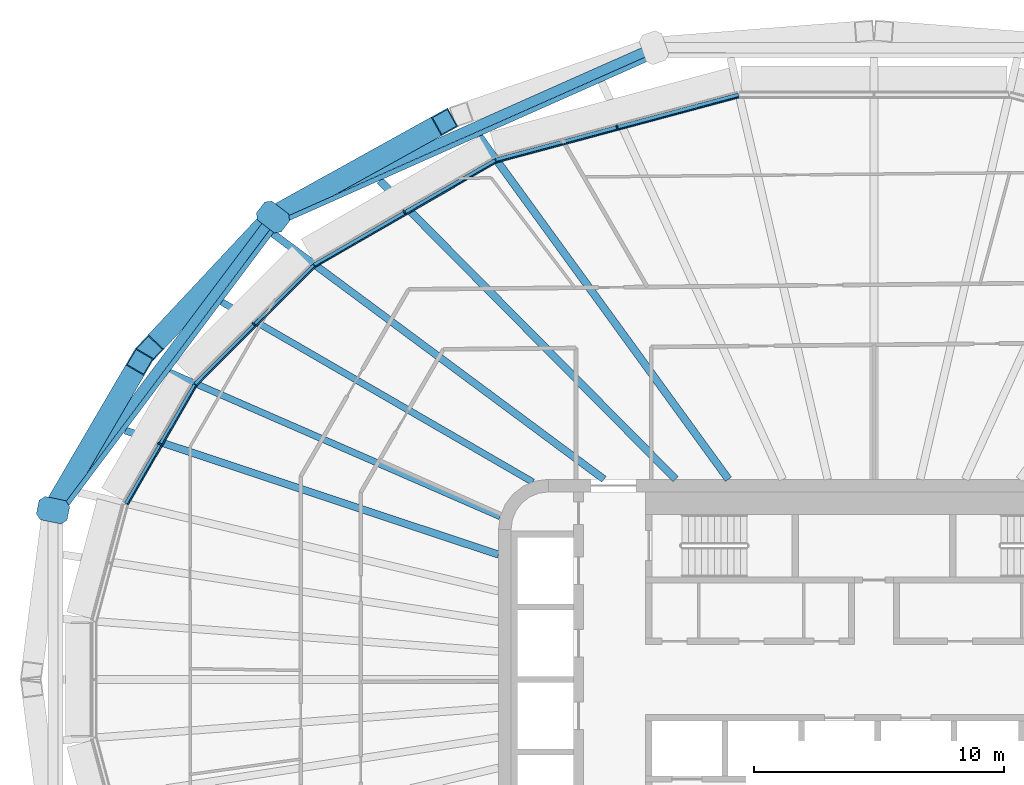
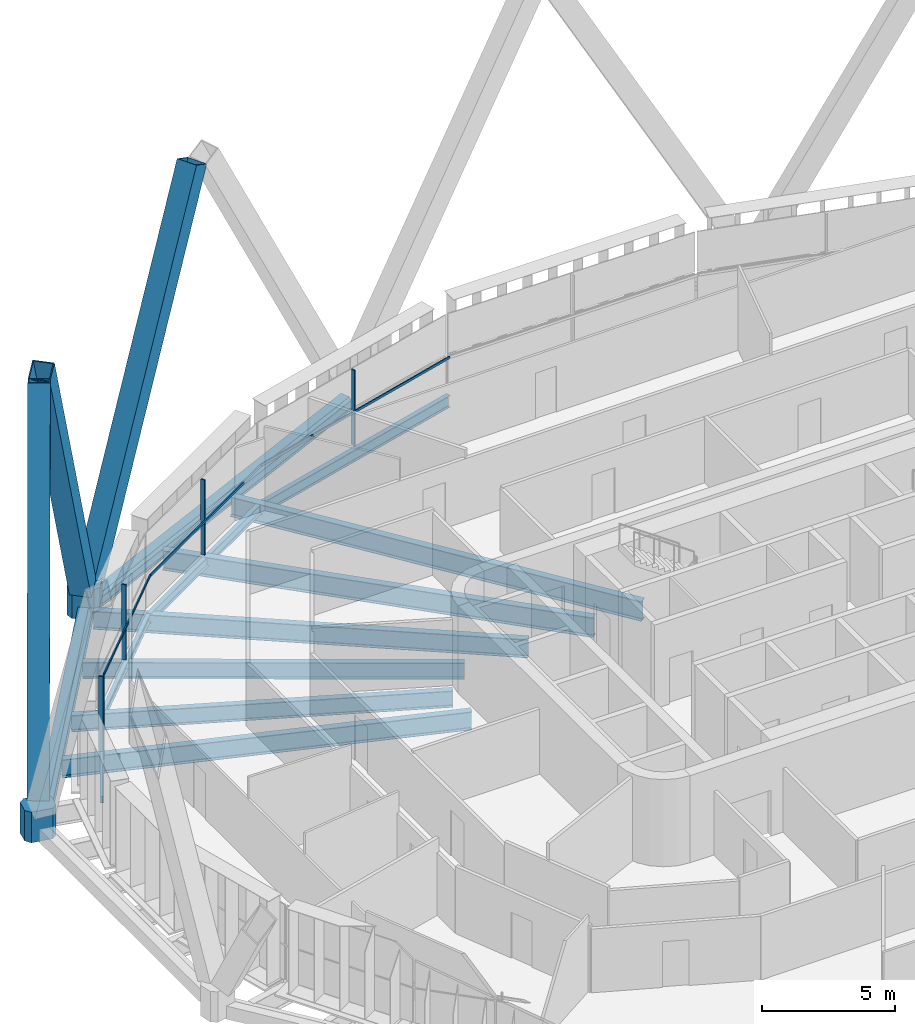
# One storey, part 7 of 25: 14 beams, 13 members, 4 elements without a shape of their own.
"""IFC4 building model written with IfcOpenShell, lengths in metres."""

from ifc_helpers import new_model, si_unit, direction, frame, origin, origin_2d, place, context, subcontext, project, spatial, polyline, rectangle, hollow_rectangle, i_section, outline, extrude, material, layer, layer_set, material_profile, profile_set, type_object, element, aggregate, save


model = new_model("IFC4")

# Units and contexts
model_context = context("Model", 3, precision=1e-05, world=origin(), true_north=direction((0.0, 1.0)))
body_context = subcontext(model_context, "Body", "Model", "MODEL_VIEW")
ifc_project = project(units=[si_unit("LENGTHUNIT", "METRE"), si_unit("AREAUNIT", "SQUARE_METRE"), si_unit("VOLUMEUNIT", "CUBIC_METRE"), si_unit("PLANEANGLEUNIT", "RADIAN"), si_unit("MASSUNIT", "GRAM", prefix="KILO")], contexts=[model_context])

# Site, building, storey
site_placement = place(None, origin())
site = spatial("IfcSite", under=ifc_project, at=site_placement, CompositionType="ELEMENT")
building_placement = place(site_placement, origin())
building = spatial("IfcBuilding", under=site, at=building_placement, Name="Sahrelin Media Tower", CompositionType="ELEMENT")
storey_placement = place(building_placement, frame((0.0, 0.0, 165.60009765625)))
storey = spatial("IfcBuildingStorey", under=building, at=storey_placement, Name="L34", CompositionType="ELEMENT", Elevation=165.60009765625)

# Members
ifc_material_1 = material(Name="Steel S460", Category="steel")
ifc_material_profile_1 = material_profile(ifc_material_1, hollow_rectangle(XDim=0.85009765625, YDim=0.85009765625, WallThickness=0.044921875, at=origin_2d()), Name="Diagrid diagonal DG4")
ifc_profile_set_1 = profile_set([ifc_material_profile_1], Name="Steel S460")
member_type_1 = type_object("IfcMemberType", Name="Diagrid diagonal DG4", PredefinedType="BRACE", material=ifc_profile_set_1)
member_1_placement = place(storey_placement, frame((-23.69384765625, 18.652099609375, 0.699951171875), z_axis=(0.398674830387, 0.221022968388, 0.890060237883), x_axis=(-0.484866509738, 0.87458817036, 0.0)))
element("IfcMember", 1, at=member_1_placement, inside=storey, type_object=member_type_1, Name="Diagrid diagonal D07-08", PredefinedType="BRACE", context=body_context, shape_type="SweptSolid", body=[
    extrude(hollow_rectangle(XDim=0.85009765625, YDim=0.85009765625, WallThickness=0.044921875, at=origin_2d()), origin(), (0.0, 0.0, 1.0), 16.4033203125),
])
member_2_placement = place(storey_placement, frame((-24.233154296875, 18.237060546875, 0.699951171875), z_axis=(-0.291734755252, -0.311755323124, 0.904267355975), x_axis=(0.730163113627, -0.683272879236, 0.0)))
element("IfcMember", 2, at=member_2_placement, inside=storey, type_object=member_type_1, Name="Diagrid diagonal D07-09", PredefinedType="BRACE", context=body_context, shape_type="SweptSolid", body=[
    extrude(hollow_rectangle(XDim=0.85009765625, YDim=0.85009765625, WallThickness=0.044921875, at=origin_2d()), origin(), (0.0, 0.0, 1.0), 16.1455078125),
])
member_3_placement = place(storey_placement, frame((-32.635986328125, 7.034912109375, 0.699951171875), z_axis=(0.206719269203, 0.353451810251, 0.912326126761), x_axis=(-0.863205372042, 0.504852934702, 0.0)))
element("IfcMember", 3, at=member_3_placement, inside=storey, type_object=member_type_1, Name="Diagrid diagonal D07-10", PredefinedType="BRACE", context=body_context, shape_type="SweptSolid", body=[
    extrude(hollow_rectangle(XDim=0.85009765625, YDim=0.85009765625, WallThickness=0.044921875, at=origin_2d()), origin(), (0.0, 0.0, 1.0), 16.0029296875),
])
ifc_material_profile_2 = material_profile(ifc_material_1, outline(polyline([(0.425048828125, -0.47509765625), (0.625, -0.27490234375), (0.625, 0.27490234375), (0.425048828125, 0.47509765625), (-0.425048828125, 0.47509765625), (-0.625, 0.27490234375), (-0.625, -0.27490234375), (-0.425048828125, -0.47509765625), (0.425048828125, -0.47509765625)])), Name="Diagrid node block 1250")
ifc_profile_set_2 = profile_set([ifc_material_profile_2], Name="Steel S460")
member_type_2 = type_object("IfcMemberType", Name="Diagrid node block 1250", PredefinedType="USERDEFINED", material=ifc_profile_set_2)
for number, where, z_axis, x_axis, name in (
    (4, (-24.00732421875, 18.478515625, -0.7001953125), (0.0, 0.0, 1.0), (-0.792446158195, 0.609941871297, 0.0), "Diagrid node N07-04"),
    (5, (-32.794677734375, 6.763671875, -0.7001953125), (0.0, 0.0, 1.0), (-0.979387770926, 0.201989094163, 0.0), "Diagrid node N07-05"),
):
    element("IfcMember", number, at=place(storey_placement, frame(where, z_axis=z_axis, x_axis=x_axis)), inside=storey, type_object=member_type_2, Name=name, ObjectType="NODE", PredefinedType="USERDEFINED", context=body_context, shape_type="SweptSolid", body=[
        extrude(outline(polyline([(0.425048828125, -0.47509765625), (0.625, -0.27490234375), (0.625, 0.27490234375), (0.425048828125, 0.47509765625), (-0.425048828125, 0.47509765625), (-0.625, 0.27490234375), (-0.625, -0.27490234375), (-0.425048828125, -0.47509765625), (0.425048828125, -0.47509765625)])), origin(), (0.0, 0.0, 1.0), 1.400146484375),
    ])

# Beams
ifc_material_profile_3 = material_profile(ifc_material_1, hollow_rectangle(XDim=0.39990234375, YDim=0.60009765625, WallThickness=0.030029296875, at=origin_2d()), Name="Diagrid ring beam RB1")
ifc_profile_set_3 = profile_set([ifc_material_profile_3], Name="Steel S460")
beam_type_1 = type_object("IfcBeamType", Name="Diagrid ring beam RB1", PredefinedType="BEAM", material=ifc_profile_set_3)
beam_1_placement = place(storey_placement, frame((-8.787353515625, 25.241943359375, -0.4501953125), z_axis=(-0.913833912986, -0.406088142498, 0.0), x_axis=(0.406088142498, -0.913833912986, 0.0)))
element("IfcBeam", 6, at=beam_1_placement, inside=storey, type_object=beam_type_1, Name="Diagrid ring beam RB07-03", PredefinedType="BEAM", context=body_context, shape_type="SweptSolid", body=[
    extrude(hollow_rectangle(XDim=0.39990234375, YDim=0.60009765625, WallThickness=0.030029296875, at=origin_2d()), origin(), (0.0, 0.0, 1.0), 16.655029296875),
])
beam_2_placement = place(storey_placement, frame((-24.00732421875, 18.478515625, -0.4501953125), z_axis=(-0.600053347115, -0.799959986885, 0.0), x_axis=(0.799959986885, -0.600053347115, 0.0)))
element("IfcBeam", 7, at=beam_2_placement, inside=storey, type_object=beam_type_1, Name="Diagrid ring beam RB07-04", PredefinedType="BEAM", context=body_context, shape_type="SweptSolid", body=[
    extrude(hollow_rectangle(XDim=0.39990234375, YDim=0.60009765625, WallThickness=0.030029296875, at=origin_2d()), origin(), (0.0, 0.0, 1.0), 14.644287109375),
])
ifc_material_2 = material(Name="Steel S355", Category="steel")
ifc_material_profile_4 = material_profile(ifc_material_2, i_section(OverallWidth=0.1650390625, OverallDepth=0.303466796875, WebThickness=0.006103515625, FlangeThickness=0.01025390625, FilletRadius=0.0087890625, at=origin_2d()), Name="UB 305x165x40")
ifc_profile_set_4 = profile_set([ifc_material_profile_4], Name="Steel S355")
beam_type_2 = type_object("IfcBeamType", Name="Edge beam EB2", PredefinedType="BEAM", material=ifc_profile_set_4)
beam_3_placement = place(storey_placement, frame((-29.87158203125, 7.015380859375, -0.3017578125), z_axis=(0.499995531332, 0.866027983755, 0.0), x_axis=(-0.866027983755, 0.499995531332, 0.0)))
element("IfcBeam", 8, at=beam_3_placement, inside=storey, type_object=beam_type_2, Name="Edge beam L34-15", PredefinedType="BEAM", context=body_context, shape_type="SweptSolid", body=[
    extrude(i_section(OverallWidth=0.1650390625, OverallDepth=0.303466796875, WebThickness=0.006103515625, FlangeThickness=0.01025390625, FilletRadius=0.0087890625, at=origin_2d()), origin(), (0.0, 0.0, 1.0), 5.49462890625),
])
ifc_material_profile_5 = material_profile(ifc_material_2, i_section(OverallWidth=0.17138671875, OverallDepth=0.35498046875, WebThickness=0.00732421875, FlangeThickness=0.011474609375, FilletRadius=0.01025390625, at=origin_2d()), Name="UB 356x171x51")
ifc_profile_set_5 = profile_set([ifc_material_profile_5], Name="Steel S355")
beam_type_3 = type_object("IfcBeamType", Name="Edge beam EB3", PredefinedType="BEAM", material=ifc_profile_set_5)
beam_4_placement = place(storey_placement, frame((-27.106689453125, 11.796875, -0.32763671875), z_axis=(0.707106781187, 0.707106781187, 0.0), x_axis=(-0.707106781187, 0.707106781187, 0.0)))
element("IfcBeam", 9, at=beam_4_placement, inside=storey, type_object=beam_type_3, Name="Edge beam L34-16", PredefinedType="BEAM", context=body_context, shape_type="SweptSolid", body=[
    extrude(i_section(OverallWidth=0.17138671875, OverallDepth=0.35498046875, WebThickness=0.00732421875, FlangeThickness=0.011474609375, FilletRadius=0.01025390625, at=origin_2d()), origin(), (0.0, 0.0, 1.0), 6.68994140625),
])
ifc_material_profile_6 = material_profile(ifc_material_2, i_section(OverallWidth=0.1904296875, OverallDepth=0.45703125, WebThickness=0.009033203125, FlangeThickness=0.014404296875, FilletRadius=0.01025390625, at=origin_2d()), Name="UB 457x191x74")
ifc_profile_set_6 = profile_set([ifc_material_profile_6], Name="Steel S355")
beam_type_4 = type_object("IfcBeamType", Name="Edge beam EB5", PredefinedType="BEAM", material=ifc_profile_set_6)
beam_5_placement = place(storey_placement, frame((-22.353515625, 16.544921875, -0.378662109375), z_axis=(0.866033256399, 0.499986398626, 0.0), x_axis=(-0.499986398626, 0.866033256399, 0.0)))
element("IfcBeam", 10, at=beam_5_placement, inside=storey, type_object=beam_type_4, Name="Edge beam L34-17", PredefinedType="BEAM", context=body_context, shape_type="SweptSolid", body=[
    extrude(i_section(OverallWidth=0.1904296875, OverallDepth=0.45703125, WebThickness=0.009033203125, FlangeThickness=0.014404296875, FilletRadius=0.01025390625, at=origin_2d()), origin(), (0.0, 0.0, 1.0), 8.353759765625),
])
ifc_material_profile_7 = material_profile(ifc_material_2, i_section(OverallWidth=0.208740234375, OverallDepth=0.5283203125, WebThickness=0.009521484375, FlangeThickness=0.01318359375, FilletRadius=0.0126953125, at=origin_2d()), Name="UB 533x210x82")
ifc_profile_set_7 = profile_set([ifc_material_profile_7], Name="Steel S355")
beam_type_5 = type_object("IfcBeamType", Name="Edge beam EB6", PredefinedType="BEAM", material=ifc_profile_set_7)
beam_6_placement = place(storey_placement, frame((-15.09228515625, 20.73291015625, -0.414306640625), z_axis=(0.965927393015, 0.258813197932, 0.0), x_axis=(-0.258813197932, 0.965927393015, 0.0)))
element("IfcBeam", 11, at=beam_6_placement, inside=storey, type_object=beam_type_5, Name="Edge beam L34-18", PredefinedType="BEAM", context=body_context, shape_type="SweptSolid", body=[
    extrude(i_section(OverallWidth=0.208740234375, OverallDepth=0.5283203125, WebThickness=0.009521484375, FlangeThickness=0.01318359375, FilletRadius=0.0126953125, at=origin_2d()), origin(), (0.0, 0.0, 1.0), 10.022705078125),
])

# Curtain wall, member
ifc_material_3 = material(Name="Champagne anodised aluminium 6063-T6", Category="aluminium")
ifc_layer = layer(ifc_material_3, 0.14990234375)
ifc_layer_set = layer_set([ifc_layer], Name="Tower ribbon curtain wall")
curtain_wall_type = type_object("IfcCurtainWallType", Name="Tower ribbon curtain wall", PredefinedType="NOTDEFINED", material=ifc_layer_set)
curtain_wall_1_placement = place(storey_placement, frame((-10.29052734375, 22.1748046875, 0.0), z_axis=(0.0, 0.0, 1.0), x_axis=(1.0, 0.0, 0.0)))
curtain_wall_1 = element("IfcCurtainWall", 12, at=curtain_wall_1_placement, inside=storey, type_object=curtain_wall_type, Name="L34:CW:L34-07", PredefinedType="NOTDEFINED")
ifc_material_profile_8 = material_profile(ifc_material_3, rectangle(XDim=0.06005859375, YDim=0.175048828125, at=origin_2d()), Name="Mullion 60x175")
ifc_profile_set_8 = profile_set([ifc_material_profile_8], Name="Champagne anodised aluminium 6063-T6")
member_type_3 = type_object("IfcMemberType", Name="Mullion 60x175 CW1B", PredefinedType="MULLION", material=ifc_profile_set_8)
member_4_placement = place(storey_placement, frame((-10.2626953125, 22.07080078125, 0.0), z_axis=(0.0, 0.0, 1.0), x_axis=(-0.965925826289, -0.258819045103, 0.0)))
member_4 = element("IfcMember", 13, at=member_4_placement, type_object=member_type_3, Name="L34:CWM:L34-07", PredefinedType="MULLION", context=body_context, shape_type="SweptSolid", body=[
    extrude(rectangle(XDim=0.06005859375, YDim=0.175048828125, at=origin_2d()), origin(), (0.0, 0.0, 1.0), 3.448486328125),
])

curtain_wall_2_placement = place(storey_placement, frame((-18.81103515625, 18.76318359375, 0.0), z_axis=(0.0, 0.0, 1.0), x_axis=(1.0, 0.0, 0.0)))
curtain_wall_2 = element("IfcCurtainWall", 14, at=curtain_wall_2_placement, inside=storey, type_object=curtain_wall_type, Name="L34:CW:L34-08", PredefinedType="NOTDEFINED")
member_5_placement = place(storey_placement, frame((-18.75732421875, 18.670166015625, 0.0), z_axis=(0.0, 0.0, 1.0), x_axis=(-0.866027149108, -0.499996976998, 0.0)))
member_5 = element("IfcMember", 15, at=member_5_placement, type_object=member_type_3, Name="L34:CWM:L34-08", PredefinedType="MULLION", context=body_context, shape_type="SweptSolid", body=[
    extrude(rectangle(XDim=0.06005859375, YDim=0.175048828125, at=origin_2d()), origin(), (0.0, 0.0, 1.0), 3.448486328125),
])

curtain_wall_3_placement = place(storey_placement, frame((-24.84765625, 14.268310546875, 0.0), z_axis=(0.0, 0.0, 1.0), x_axis=(1.0, 0.0, 0.0)))
curtain_wall_3 = element("IfcCurtainWall", 16, at=curtain_wall_3_placement, inside=storey, type_object=curtain_wall_type, Name="L34:CW:L34-09", PredefinedType="NOTDEFINED")
member_6_placement = place(storey_placement, frame((-24.771484375, 14.192138671875, 0.0), z_axis=(0.0, 0.0, 1.0), x_axis=(-0.707099376343, -0.707114185953, 0.0)))
member_6 = element("IfcMember", 17, at=member_6_placement, type_object=member_type_3, Name="L34:CWM:L34-09", PredefinedType="MULLION", context=body_context, shape_type="SweptSolid", body=[
    extrude(rectangle(XDim=0.06005859375, YDim=0.175048828125, at=origin_2d()), origin(), (0.0, 0.0, 1.0), 3.448486328125),
])

curtain_wall_4_placement = place(storey_placement, frame((-28.627685546875, 9.4697265625, 0.0), z_axis=(0.0, 0.0, 1.0), x_axis=(1.0, 0.0, 0.0)))
curtain_wall_4 = element("IfcCurtainWall", 18, at=curtain_wall_4_placement, inside=storey, type_object=curtain_wall_type, Name="L34:CW:L34-10", PredefinedType="NOTDEFINED")
member_7_placement = place(storey_placement, frame((-28.534912109375, 9.416015625, 0.0), z_axis=(0.0, 0.0, 1.0), x_axis=(-0.500003022996, -0.86602365845, 0.0)))
member_7 = element("IfcMember", 19, at=member_7_placement, type_object=member_type_3, Name="L34:CWM:L34-10", PredefinedType="MULLION", context=body_context, shape_type="SweptSolid", body=[
    extrude(rectangle(XDim=0.06005859375, YDim=0.175048828125, at=origin_2d()), origin(), (0.0, 0.0, 1.0), 3.448486328125),
])

# Beams
ifc_material_profile_9 = material_profile(ifc_material_2, i_section(OverallWidth=0.291748046875, OverallDepth=0.8349609375, WebThickness=0.013916015625, FlangeThickness=0.018798828125, FilletRadius=0.017822265625, at=origin_2d()), Name="UB 838x292x176")
ifc_profile_set_9 = profile_set([ifc_material_profile_9], Name="Steel S355")
beam_type_6 = type_object("IfcBeamType", Name="Radial primary beam PB10", PredefinedType="BEAM", material=ifc_profile_set_9)
beam_7_placement = place(storey_placement, frame((-10.78564453125, 8.0, -0.567626953125), z_axis=(-0.8031817712, 0.59573403664, 0.0), x_axis=(-0.59573403664, -0.8031817712, 0.0)))
element("IfcBeam", 20, at=beam_7_placement, inside=storey, type_object=beam_type_6, Name="Radial beam L34-09", PredefinedType="BEAM", context=body_context, shape_type="SweptSolid", body=[
    extrude(i_section(OverallWidth=0.291748046875, OverallDepth=0.8349609375, WebThickness=0.013916015625, FlangeThickness=0.018798828125, FilletRadius=0.017822265625, at=origin_2d()), origin(), (0.0, 0.0, 1.0), 16.46923828125),
])
ifc_material_profile_10 = material_profile(ifc_material_2, i_section(OverallWidth=0.30322265625, OverallDepth=0.903076171875, WebThickness=0.01513671875, FlangeThickness=0.020263671875, FilletRadius=0.01904296875, at=origin_2d()), Name="UB 914x305x201")
ifc_profile_set_10 = profile_set([ifc_material_profile_10], Name="Steel S355")
beam_type_7 = type_object("IfcBeamType", Name="Radial primary beam PB11", PredefinedType="BEAM", material=ifc_profile_set_10)
beam_8_placement = place(storey_placement, frame((-5.813232421875, 8.0, -0.6015625), z_axis=(-0.587842616911, 0.808975313432, 0.0), x_axis=(-0.808975313432, -0.587842616911, 0.0)))
element("IfcBeam", 21, at=beam_8_placement, inside=storey, type_object=beam_type_7, Name="Radial beam L34-08", PredefinedType="BEAM", context=body_context, shape_type="SweptSolid", body=[
    extrude(i_section(OverallWidth=0.30322265625, OverallDepth=0.903076171875, WebThickness=0.01513671875, FlangeThickness=0.020263671875, FilletRadius=0.01904296875, at=origin_2d()), origin(), (0.0, 0.0, 1.0), 16.941650390625),
])
ifc_material_profile_11 = material_profile(ifc_material_2, i_section(OverallWidth=0.26513671875, OverallDepth=0.75390625, WebThickness=0.0126953125, FlangeThickness=0.017578125, FilletRadius=0.0166015625, at=origin_2d()), Name="UB 762x267x147")
ifc_profile_set_11 = profile_set([ifc_material_profile_11], Name="Steel S355")
beam_type_8 = type_object("IfcBeamType", Name="Radial primary beam PB9", PredefinedType="BEAM", material=ifc_profile_set_11)
beam_9_placement = place(storey_placement, frame((-14.9326171875, 6.512451171875, -0.527099609375), z_axis=(-0.916619523291, 0.399760740346, 0.0), x_axis=(-0.399760740346, -0.916619523291, 0.0)))
element("IfcBeam", 22, at=beam_9_placement, inside=storey, type_object=beam_type_8, Name="Radial beam L34-10", PredefinedType="BEAM", context=body_context, shape_type="SweptSolid", body=[
    extrude(i_section(OverallWidth=0.26513671875, OverallDepth=0.75390625, WebThickness=0.0126953125, FlangeThickness=0.017578125, FilletRadius=0.0166015625, at=origin_2d()), origin(), (0.0, 0.0, 1.0), 14.431884765625),
])
ifc_material_profile_12 = material_profile(ifc_material_2, i_section(OverallWidth=0.291748046875, OverallDepth=0.8349609375, WebThickness=0.013916015625, FlangeThickness=0.018798828125, FilletRadius=0.017822265625, at=origin_2d()), Name="UB 838x292x176")
ifc_profile_set_12 = profile_set([ifc_material_profile_12], Name="Steel S355")
beam_type_9 = type_object("IfcBeamType", Name="Radial secondary beam SB10", PredefinedType="BEAM", material=ifc_profile_set_12)
beam_10_placement = place(storey_placement, frame((-15.0, 4.98974609375, -0.567626953125), z_axis=(-0.948878876725, 0.315640424068, 0.0), x_axis=(-0.315640424068, -0.948878876725, 0.0)))
element("IfcBeam", 23, at=beam_10_placement, inside=storey, type_object=beam_type_9, Name="Secondary beam L34-10", PredefinedType="BEAM", context=body_context, shape_type="SweptSolid", body=[
    extrude(i_section(OverallWidth=0.291748046875, OverallDepth=0.8349609375, WebThickness=0.013916015625, FlangeThickness=0.018798828125, FilletRadius=0.017822265625, at=origin_2d()), origin(), (0.0, 0.0, 1.0), 15.7138671875),
])
ifc_material_profile_13 = material_profile(ifc_material_2, i_section(OverallWidth=0.30322265625, OverallDepth=0.903076171875, WebThickness=0.01513671875, FlangeThickness=0.020263671875, FilletRadius=0.01904296875, at=origin_2d()), Name="UB 914x305x201")
ifc_profile_set_13 = profile_set([ifc_material_profile_13], Name="Steel S355")
beam_type_10 = type_object("IfcBeamType", Name="Radial secondary beam SB11", PredefinedType="BEAM", material=ifc_profile_set_13)
beam_11_placement = place(storey_placement, frame((-7.922119140625, 8.0, -0.6015625), z_axis=(-0.703633012288, 0.710563567894, 0.0), x_axis=(-0.710563567894, -0.703633012288, 0.0)))
element("IfcBeam", 24, at=beam_11_placement, inside=storey, type_object=beam_type_10, Name="Secondary beam L34-08", PredefinedType="BEAM", context=body_context, shape_type="SweptSolid", body=[
    extrude(i_section(OverallWidth=0.30322265625, OverallDepth=0.903076171875, WebThickness=0.01513671875, FlangeThickness=0.020263671875, FilletRadius=0.01904296875, at=origin_2d()), origin(), (0.0, 0.0, 1.0), 16.80322265625),
])
ifc_material_profile_14 = material_profile(ifc_material_2, i_section(OverallWidth=0.26513671875, OverallDepth=0.75390625, WebThickness=0.0126953125, FlangeThickness=0.017578125, FilletRadius=0.0166015625, at=origin_2d()), Name="UB 762x267x147")
ifc_profile_set_14 = profile_set([ifc_material_profile_14], Name="Steel S355")
beam_type_11 = type_object("IfcBeamType", Name="Radial secondary beam SB9", PredefinedType="BEAM", material=ifc_profile_set_14)
beam_12_placement = place(storey_placement, frame((-13.625732421875, 7.88720703125, -0.527099609375), z_axis=(-0.865463515193, 0.500971959165, 0.0), x_axis=(-0.500971959165, -0.865463515193, 0.0)))
element("IfcBeam", 25, at=beam_12_placement, inside=storey, type_object=beam_type_11, Name="Secondary beam L34-09", PredefinedType="BEAM", context=body_context, shape_type="SweptSolid", body=[
    extrude(i_section(OverallWidth=0.26513671875, OverallDepth=0.75390625, WebThickness=0.0126953125, FlangeThickness=0.017578125, FilletRadius=0.0166015625, at=origin_2d()), origin(), (0.0, 0.0, 1.0), 14.3662109375),
])
ifc_material_profile_15 = material_profile(ifc_material_2, i_section(OverallWidth=0.1904296875, OverallDepth=0.45703125, WebThickness=0.009033203125, FlangeThickness=0.014404296875, FilletRadius=0.01025390625, at=origin_2d()), Name="UB 457x191x74")
ifc_profile_set_15 = profile_set([ifc_material_profile_15], Name="Steel S355")
beam_type_12 = type_object("IfcBeamType", Name="Tie chord TC5", PredefinedType="BEAM", material=ifc_profile_set_15)
beam_13_placement = place(storey_placement, frame((-32.494384765625, 6.66357421875, -0.378662109375), z_axis=(0.600043204126, 0.799967595083, 0.0), x_axis=(-0.799967595083, 0.600043204126, 0.0)))
element("IfcBeam", 26, at=beam_13_placement, inside=storey, type_object=beam_type_12, Name="Tie chord L34-08", PredefinedType="BEAM", context=body_context, shape_type="SweptSolid", body=[
    extrude(i_section(OverallWidth=0.1904296875, OverallDepth=0.45703125, WebThickness=0.009033203125, FlangeThickness=0.014404296875, FilletRadius=0.01025390625, at=origin_2d()), origin(), (0.0, 0.0, 1.0), 14.4658203125),
])
beam_14_placement = place(storey_placement, frame((-23.814208984375, 18.23583984375, -0.378662109375), z_axis=(0.913831056717, 0.406094569994, 0.0), x_axis=(-0.406094569994, 0.913831056717, 0.0)))
element("IfcBeam", 27, at=beam_14_placement, inside=storey, type_object=beam_type_12, Name="Tie chord L34-09", PredefinedType="BEAM", context=body_context, shape_type="SweptSolid", body=[
    extrude(i_section(OverallWidth=0.1904296875, OverallDepth=0.45703125, WebThickness=0.009033203125, FlangeThickness=0.014404296875, FilletRadius=0.01025390625, at=origin_2d()), origin(), (0.0, 0.0, 1.0), 16.513427734375),
])

# Member
ifc_material_profile_16 = material_profile(ifc_material_3, rectangle(XDim=0.050048828125, YDim=0.110107421875, at=origin_2d()), Name="Transom 50x110")
ifc_profile_set_16 = profile_set([ifc_material_profile_16], Name="Champagne anodised aluminium 6063-T6")
member_type_4 = type_object("IfcMemberType", Name="Transom 50x110 CW1B", PredefinedType="USERDEFINED", material=ifc_profile_set_16)
member_8_placement = place(storey_placement, frame((-5.408203125, 23.255126953125, 1.599853515625), z_axis=(-0.965926019186, -0.258818325201, 0.0), x_axis=(0.258818325201, -0.965926019186, 0.0)))
member_8 = element("IfcMember", 28, at=member_8_placement, type_object=member_type_4, Name="L34:CWT:L34-07", ObjectType="TRANSOM", PredefinedType="USERDEFINED", context=body_context, shape_type="SweptSolid", body=[
    extrude(rectangle(XDim=0.050048828125, YDim=0.110107421875, at=origin_2d()), origin(), (0.0, 0.0, 1.0), 9.9912109375),
])

aggregate(curtain_wall_1, [member_4, member_8])

member_9_placement = place(storey_placement, frame((-15.097412109375, 20.6533203125, 1.599853515625), z_axis=(-0.866024861332, -0.500000939553, 0.0), x_axis=(0.500000939553, -0.866024861332, 0.0)))
member_9 = element("IfcMember", 29, at=member_9_placement, type_object=member_type_4, Name="L34:CWT:L34-08", ObjectType="TRANSOM", PredefinedType="USERDEFINED", context=body_context, shape_type="SweptSolid", body=[
    extrude(rectangle(XDim=0.050048828125, YDim=0.110107421875, at=origin_2d()), origin(), (0.0, 0.0, 1.0), 8.322265625),
])

aggregate(curtain_wall_2, [member_5, member_9])

member_10_placement = place(storey_placement, frame((-22.337890625, 16.466796875, 1.599853515625), z_axis=(-0.707106781187, -0.707106781187, 0.0), x_axis=(0.707106781187, -0.707106781187, 0.0)))
member_10 = element("IfcMember", 30, at=member_10_placement, type_object=member_type_4, Name="L34:CWT:L34-09", ObjectType="TRANSOM", PredefinedType="USERDEFINED", context=body_context, shape_type="SweptSolid", body=[
    extrude(rectangle(XDim=0.050048828125, YDim=0.110107421875, at=origin_2d()), origin(), (0.0, 0.0, 1.0), 6.658447265625),
])

aggregate(curtain_wall_3, [member_6, member_10])

member_11_placement = place(storey_placement, frame((-27.071533203125, 11.725341796875, 1.599853515625), z_axis=(-0.499998384012, -0.866026336773, 0.0), x_axis=(0.866026336773, -0.499998384012, 0.0)))
member_11 = element("IfcMember", 31, at=member_11_placement, type_object=member_type_4, Name="L34:CWT:L34-10", ObjectType="TRANSOM", PredefinedType="USERDEFINED", context=body_context, shape_type="SweptSolid", body=[
    extrude(rectangle(XDim=0.050048828125, YDim=0.110107421875, at=origin_2d()), origin(), (0.0, 0.0, 1.0), 5.46337890625),
])

aggregate(curtain_wall_4, [member_7, member_11])

save(model, "model.ifc")
